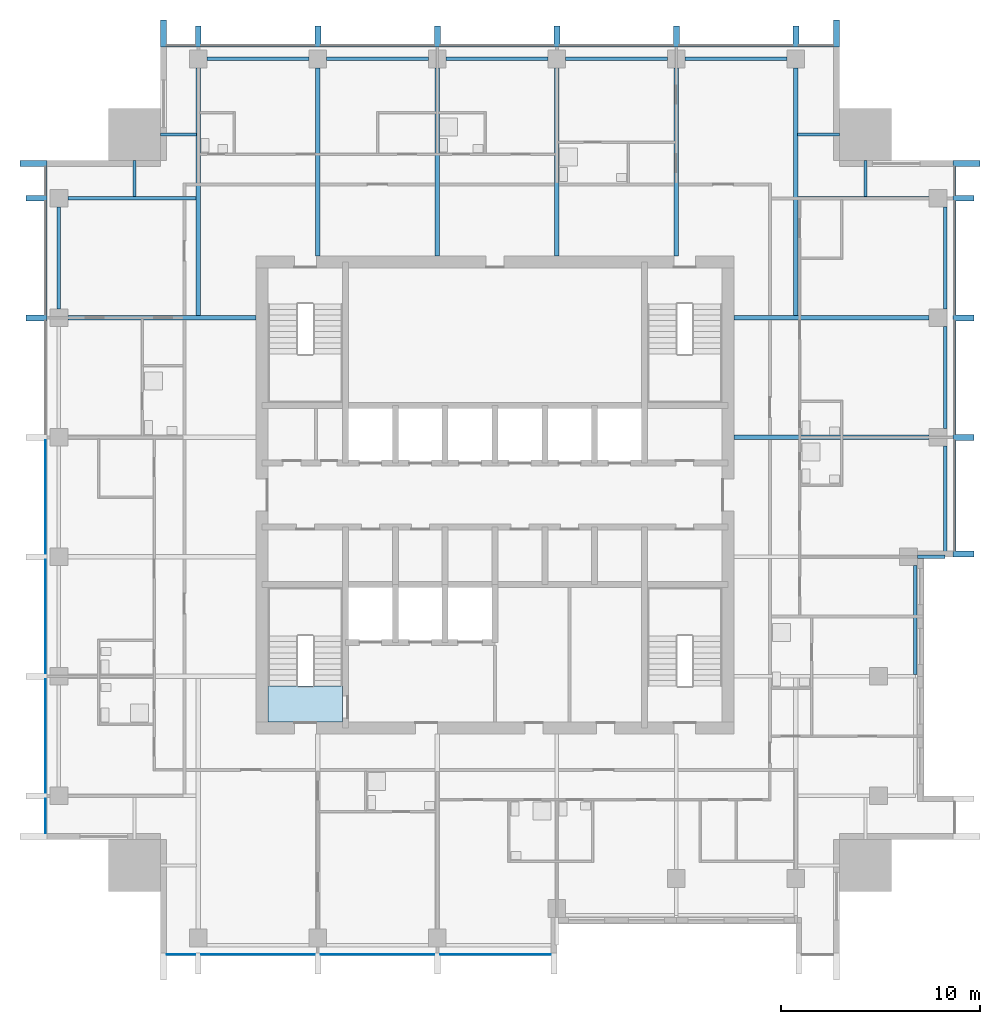
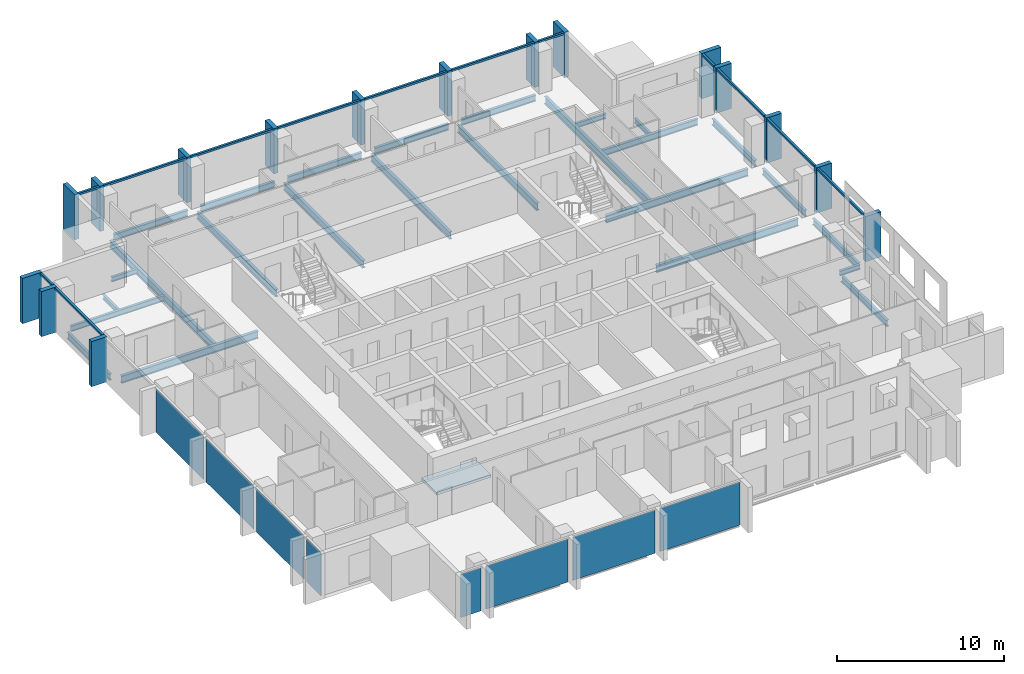
# One storey, part 2 of 11: 29 members, 26 beams, 8 plates, 1 slab, 5 elements without a shape of their own.
"""IFC4 building model written with IfcOpenShell, lengths in metres."""

import ifcopenshell
import ifcopenshell.guid

model = None  # the IFC model being written
_history = None  # IfcOwnerHistory: only IFC2X3 demands one
_inside = {}  # id of a spatial element -> (the spatial element, [elements in it])
_under = {}  # id of a project, library or spatial element -> (it, [spatial elements below it])
_declared = {}  # id of a project -> (the project, [libraries it declares])
_typed = {}  # id of a type object -> (the type object, [elements of that type])
_made_of = {}  # id of a material, layer set ... -> (it, [elements and type objects made of it])


def new_model(schema):
    """Start an empty IFC model of exactly this schema.

    Asked for "IFC4X3", IfcOpenShell would pick the latest addendum, in which some entities
    have other attributes; the version numbers below select the first issue.
    IFC2X3 requires an IfcOwnerHistory on every rooted entity: one is made here for all.
    """
    global model, _history
    if schema == "IFC4X3":
        model = ifcopenshell.file(schema_version=(4, 3, 0, 0))
    else:
        model = ifcopenshell.file(schema=schema)
    _inside.clear()
    _under.clear()
    _declared.clear()
    _typed.clear()
    _made_of.clear()
    _history = None
    if model.schema == "IFC2X3":
        org = make("IfcOrganization", Name="unknown")
        user = make(
            "IfcPersonAndOrganization",
            ThePerson=make("IfcPerson", FamilyName="unknown"),
            TheOrganization=org,
        )
        app = make(
            "IfcApplication",
            ApplicationDeveloper=org,
            Version="unknown",
            ApplicationFullName="unknown",
            ApplicationIdentifier="unknown",
        )
        _history = make(
            "IfcOwnerHistory",
            OwningUser=user,
            OwningApplication=app,
            ChangeAction="ADDED",
            CreationDate=0,
        )
    return model


def make(cls, **values):
    """One entity of the class cls with the attributes given. An attribute that is None is left unset."""
    return model.create_entity(
        cls, **{name: value for name, value in values.items() if value is not None}
    )


def rooted(cls, **values):
    """An entity with a GlobalId (a new one), such as an element, a storey or a relation."""
    return make(cls, GlobalId=ifcopenshell.guid.new(), OwnerHistory=_history, **values)


def si_unit(unit_type, name, prefix=None):
    """IfcSIUnit, for example si_unit("LENGTHUNIT", "METRE", prefix="MILLI")."""
    return make("IfcSIUnit", UnitType=unit_type, Prefix=prefix, Name=name)


def assignment(units):
    """IfcUnitAssignment: the units of a project."""
    return None if units is None else make("IfcUnitAssignment", Units=units)


def point(xyz):
    """IfcCartesianPoint."""
    return None if xyz is None else make("IfcCartesianPoint", Coordinates=xyz)


def direction(xyz):
    """IfcDirection."""
    return None if xyz is None else make("IfcDirection", DirectionRatios=xyz)


def frame(location, z_axis=None, x_axis=None):
    """IfcAxis2Placement3D, a coordinate frame: its origin and axes. An axis left out is left unset."""
    return make(
        "IfcAxis2Placement3D",
        Location=point(location),
        Axis=direction(z_axis),
        RefDirection=direction(x_axis),
    )


def frame_2d(location, x_axis=None):
    """IfcAxis2Placement2D, a coordinate frame in the plane: its origin and x axis."""
    return make(
        "IfcAxis2Placement2D", Location=point(location), RefDirection=direction(x_axis)
    )


def origin():
    """The frame at (0, 0, 0) with its axes left unset."""
    return frame((0.0, 0.0, 0.0))


def origin_2d():
    """The frame at (0, 0) in the plane with its x axis left unset."""
    return frame_2d((0.0, 0.0))


def place(relative_to, where):
    """IfcLocalPlacement: puts the frame where relative to a parent placement (None: the world)."""
    return make(
        "IfcLocalPlacement", PlacementRelTo=relative_to, RelativePlacement=where
    )


def context(
    kind, dimensions, precision=None, world=None, true_north=None, identifier=None
):
    """IfcGeometricRepresentationContext, for example the 3D "Model" context."""
    return make(
        "IfcGeometricRepresentationContext",
        ContextIdentifier=identifier,
        ContextType=kind,
        CoordinateSpaceDimension=dimensions,
        Precision=precision,
        WorldCoordinateSystem=world,
        TrueNorth=true_north,
    )


def subcontext(parent, identifier, kind, view, scale=None):
    """IfcGeometricRepresentationSubContext, for example "Body" below "Model"."""
    return make(
        "IfcGeometricRepresentationSubContext",
        ContextIdentifier=identifier,
        ContextType=kind,
        ParentContext=parent,
        TargetScale=scale,
        TargetView=view,
    )


def project(units=None, contexts=None):
    """IfcProject with its units and contexts."""
    return rooted(
        "IfcProject",
        Name="project",
        RepresentationContexts=contexts,
        UnitsInContext=assignment(units),
    )


def spatial(cls, under=None, at=None, **own):
    """A site, building, storey or space (cls), placed at a placement, below another one or the project."""
    s = rooted(cls, ObjectPlacement=at, **own)
    if under is not None:
        _under.setdefault(under.id(), (under, []))[1].append(s)
    return s


def polyline(points):
    """IfcPolyline through the points."""
    return make("IfcPolyline", Points=[point(p) for p in points])


def profile(cls, at=None, kind="AREA", **sizes):
    """A parametric profile (cls). Its sizes go by their IFC names, for example OverallWidth=200.0."""
    return make(cls, ProfileType=kind, Position=at, **sizes)


def rectangle(**sizes):
    """IfcRectangleProfileDef."""
    return profile("IfcRectangleProfileDef", **sizes)


def i_section(**sizes):
    """IfcIShapeProfileDef."""
    return profile("IfcIShapeProfileDef", **sizes)


def outline(outer, holes=None, kind="AREA"):
    """IfcArbitraryClosedProfileDef: a profile drawn as a closed curve; with holes, ...WithVoids."""
    if holes is None:
        return make("IfcArbitraryClosedProfileDef", ProfileType=kind, OuterCurve=outer)
    return make(
        "IfcArbitraryProfileDefWithVoids",
        ProfileType=kind,
        OuterCurve=outer,
        InnerCurves=holes,
    )


def extrude(swept, where, along, depth):
    """IfcExtrudedAreaSolid: the profile swept, set in the frame where, extruded along a direction by depth."""
    return make(
        "IfcExtrudedAreaSolid",
        SweptArea=swept,
        Position=where,
        ExtrudedDirection=direction(along),
        Depth=depth,
    )


def shape(context_of_items, identifier, shape_type, items):
    """IfcShapeRepresentation: the items that make up one representation, for example the "Body"."""
    return make(
        "IfcShapeRepresentation",
        ContextOfItems=context_of_items,
        RepresentationIdentifier=identifier,
        RepresentationType=shape_type,
        Items=items,
    )


def material(Name=None, Category=None):
    """IfcMaterial."""
    return make("IfcMaterial", Name=Name, Category=Category)


def layer(
    of_material, thickness, ventilated=None, Name=None, Category=None, Priority=None
):
    """IfcMaterialLayer: one layer of a wall or slab, of a material (None: an air gap)."""
    return make(
        "IfcMaterialLayer",
        Material=of_material,
        LayerThickness=thickness,
        IsVentilated=ventilated,
        Name=Name,
        Category=Category,
        Priority=Priority,
    )


def layer_set(layers, Name=None):
    """IfcMaterialLayerSet."""
    return make("IfcMaterialLayerSet", MaterialLayers=layers, LayerSetName=Name)


def material_profile(
    of_material, cross_section, Name=None, Category=None, Priority=None
):
    """IfcMaterialProfile: a cross section and its material."""
    return make(
        "IfcMaterialProfile",
        Name=Name,
        Material=of_material,
        Profile=cross_section,
        Priority=Priority,
        Category=Category,
    )


def profile_set(profiles, Name=None, composite=None):
    """IfcMaterialProfileSet."""
    return make(
        "IfcMaterialProfileSet",
        Name=Name,
        MaterialProfiles=profiles,
        CompositeProfile=composite,
    )


def made_of(thing, what):
    """Note that an element or type object is made of a material, layer set ...; save() writes the relation."""
    if what is not None:
        _made_of.setdefault(what.id(), (what, []))[1].append(thing)
    return thing


def type_object(cls, material=None, **own):
    """A type object (cls), such as IfcWallType, which elements share."""
    return made_of(rooted(cls, **own), material)


def element(
    cls,
    number,
    at=None,
    inside=None,
    cuts=None,
    type_object=None,
    material=None,
    context=None,
    identifier="Body",
    shape_type=None,
    held_by="IfcProductDefinitionShape",
    body=None,
    shapes=None,
    **own,
):
    """One element of the class cls, such as IfcWall. Its Tag is "e" and its number.

    at: its placement. inside: the storey or other place that contains it. cuts: it is an
    opening in that element (IfcRelVoidsElement). A single representation is given by context,
    identifier, shape_type and body (its items); several are given by shapes. held_by: the class
    of the entity that holds the representations. save() writes the other relations.
    """
    e = rooted(cls, Tag="e%d" % number, ObjectPlacement=at, **own)
    if body is not None:
        shapes = [shape(context, identifier, shape_type, body)]
    if shapes is not None:
        e.Representation = make(held_by, Representations=shapes)
    if inside is not None:
        _inside.setdefault(inside.id(), (inside, []))[1].append(e)
    if cuts is not None:
        rooted(
            "IfcRelVoidsElement", RelatingBuildingElement=cuts, RelatedOpeningElement=e
        )
    if type_object is not None:
        _typed.setdefault(type_object.id(), (type_object, []))[1].append(e)
    return made_of(e, material)


def aggregate(whole, parts):
    """IfcRelAggregates: a whole, such as a stair, and the parts it consists of."""
    return rooted("IfcRelAggregates", RelatingObject=whole, RelatedObjects=parts)


def save(model, path):
    """Write the relations noted so far, then the file.

    IfcRelAggregates (storeys below a building ...), IfcRelContainedInSpatialStructure (elements
    in a storey), IfcRelDefinesByType, IfcRelAssociatesMaterial and IfcRelDeclares: one each for
    every whole, place, type object, material and project.
    """
    for whole, parts in _under.values():
        aggregate(whole, parts)
    for where, things in _inside.values():
        rooted(
            "IfcRelContainedInSpatialStructure",
            RelatedElements=things,
            RelatingStructure=where,
        )
    for kind, things in _typed.values():
        rooted("IfcRelDefinesByType", RelatedObjects=things, RelatingType=kind)
    for what, things in _made_of.values():
        rooted("IfcRelAssociatesMaterial", RelatedObjects=things, RelatingMaterial=what)
    for by, libraries in _declared.values():
        rooted("IfcRelDeclares", RelatingContext=by, RelatedDefinitions=libraries)
    model.write(path)


model = new_model("IFC4")

# Units and contexts
model_context = context("Model", 3, precision=1e-05, world=origin(), true_north=direction((0.0, 1.0)))
body_context = subcontext(model_context, "Body", "Model", "MODEL_VIEW")
ifc_project = project(units=[si_unit("LENGTHUNIT", "METRE"), si_unit("AREAUNIT", "SQUARE_METRE"), si_unit("VOLUMEUNIT", "CUBIC_METRE"), si_unit("PLANEANGLEUNIT", "RADIAN"), si_unit("MASSUNIT", "GRAM", prefix="KILO")], contexts=[model_context])

# Site, building, storey
site_placement = place(None, origin())
site = spatial("IfcSite", under=ifc_project, at=site_placement, CompositionType="ELEMENT")
building_placement = place(site_placement, origin())
building = spatial("IfcBuilding", under=site, at=building_placement, Name="Amberfall Residences", CompositionType="ELEMENT")
storey_placement = place(building_placement, frame((0.0, 0.0, 223.300048828125)))
storey = spatial("IfcBuildingStorey", under=building, at=storey_placement, Name="L60", CompositionType="ELEMENT", Elevation=223.300048828125)

# Curtain wall, members
ifc_material_1 = material(Name="Bronze anodised aluminium and glass", Category="aluminium")
curtain_wall_type = type_object("IfcCurtainWallType", Name="Curtain wall CW1 tower unit", PredefinedType="USERDEFINED", material=ifc_material_1)
curtain_wall_1_placement = place(storey_placement, origin())
curtain_wall_1 = element("IfcCurtainWall", 1, at=curtain_wall_1_placement, inside=storey, type_object=curtain_wall_type, Name="Curtain wall L60 E E6", ObjectType="UNITISED CURTAIN WALL", PredefinedType="USERDEFINED")
ifc_material_2 = material(Name="Bronze anodised aluminium", Category="aluminium")
ifc_material_profile_1 = material_profile(ifc_material_2, rectangle(XDim=0.14990234375, YDim=0.14990234375, at=origin_2d()), Name="CW1 transom 150 x 150 bronze")
ifc_profile_set_1 = profile_set([ifc_material_profile_1], Name="Bronze anodised aluminium")
member_type_1 = type_object("IfcMemberType", Name="CW1 transom 150 x 150 bronze", PredefinedType="USERDEFINED", material=ifc_profile_set_1)
member_1_placement = place(storey_placement, frame((97.574951171875, 42.699951171875, 2.974853515625), z_axis=(0.0, 1.0, 0.0), x_axis=(-1.0, 0.0, 0.0)))
member_1 = element("IfcMember", 2, at=member_1_placement, type_object=member_type_1, Name="CW1 transom 1.1", ObjectType="TRANSOM", PredefinedType="USERDEFINED", context=body_context, shape_type="SweptSolid", body=[
    extrude(rectangle(XDim=0.14990234375, YDim=0.14990234375, at=origin_2d()), origin(), (0.0, 0.0, 1.0), 5.550048828125),
])
member_2_placement = place(storey_placement, frame((97.574951171875, 48.550048828125, 2.974853515625), z_axis=(0.0, 1.0, 0.0), x_axis=(-1.0, 0.0, 0.0)))
member_2 = element("IfcMember", 3, at=member_2_placement, type_object=member_type_1, Name="CW1 transom 2.1", ObjectType="TRANSOM", PredefinedType="USERDEFINED", context=body_context, shape_type="SweptSolid", body=[
    extrude(rectangle(XDim=0.14990234375, YDim=0.14990234375, at=origin_2d()), origin(), (0.0, 0.0, 1.0), 5.699951171875),
])
member_3_placement = place(storey_placement, frame((97.574951171875, 54.550048828125, 2.974853515625), z_axis=(0.0, 1.0, 0.0), x_axis=(-1.0, 0.0, 0.0)))
member_3 = element("IfcMember", 4, at=member_3_placement, type_object=member_type_1, Name="CW1 transom 3.1", ObjectType="TRANSOM", PredefinedType="USERDEFINED", context=body_context, shape_type="SweptSolid", body=[
    extrude(rectangle(XDim=0.14990234375, YDim=0.14990234375, at=origin_2d()), origin(), (0.0, 0.0, 1.0), 5.699951171875),
])
member_4_placement = place(storey_placement, frame((97.574951171875, 60.550048828125, 2.974853515625), z_axis=(0.0, 1.0, 0.0), x_axis=(-1.0, 0.0, 0.0)))
member_4 = element("IfcMember", 5, at=member_4_placement, type_object=member_type_1, Name="CW1 transom 4.1", ObjectType="TRANSOM", PredefinedType="USERDEFINED", context=body_context, shape_type="SweptSolid", body=[
    extrude(rectangle(XDim=0.14990234375, YDim=0.14990234375, at=origin_2d()), origin(), (0.0, 0.0, 1.0), 1.449951171875),
])

curtain_wall_2_placement = place(storey_placement, origin())
curtain_wall_2 = element("IfcCurtainWall", 6, at=curtain_wall_2_placement, inside=storey, type_object=curtain_wall_type, Name="Curtain wall L60 N N1", ObjectType="UNITISED CURTAIN WALL", PredefinedType="USERDEFINED")
member_5_placement = place(storey_placement, frame((91.5, 68.074951171875, 2.974853515625), z_axis=(-1.0, 0.0, 0.0), x_axis=(0.0, -1.0, 0.0)))
member_5 = element("IfcMember", 7, at=member_5_placement, type_object=member_type_1, Name="CW1 transom 1.1", ObjectType="TRANSOM", PredefinedType="USERDEFINED", context=body_context, shape_type="SweptSolid", body=[
    extrude(rectangle(XDim=0.14990234375, YDim=0.14990234375, at=origin_2d()), origin(), (0.0, 0.0, 1.0), 1.75),
])
member_6_placement = place(storey_placement, frame((89.449951171875, 68.074951171875, 2.974853515625), z_axis=(-1.0, 0.0, 0.0), x_axis=(0.0, -1.0, 0.0)))
member_6 = element("IfcMember", 8, at=member_6_placement, type_object=member_type_1, Name="CW1 transom 2.1", ObjectType="TRANSOM", PredefinedType="USERDEFINED", context=body_context, shape_type="SweptSolid", body=[
    extrude(rectangle(XDim=0.14990234375, YDim=0.14990234375, at=origin_2d()), origin(), (0.0, 0.0, 1.0), 5.699951171875),
])
member_7_placement = place(storey_placement, frame((83.449951171875, 68.074951171875, 2.974853515625), z_axis=(-1.0, 0.0, 0.0), x_axis=(0.0, -1.0, 0.0)))
member_7 = element("IfcMember", 9, at=member_7_placement, type_object=member_type_1, Name="CW1 transom 3.1", ObjectType="TRANSOM", PredefinedType="USERDEFINED", context=body_context, shape_type="SweptSolid", body=[
    extrude(rectangle(XDim=0.14990234375, YDim=0.14990234375, at=origin_2d()), origin(), (0.0, 0.0, 1.0), 5.699951171875),
])
member_8_placement = place(storey_placement, frame((77.449951171875, 68.074951171875, 2.974853515625), z_axis=(-1.0, 0.0, 0.0), x_axis=(0.0, -1.0, 0.0)))
member_8 = element("IfcMember", 10, at=member_8_placement, type_object=member_type_1, Name="CW1 transom 4.1", ObjectType="TRANSOM", PredefinedType="USERDEFINED", context=body_context, shape_type="SweptSolid", body=[
    extrude(rectangle(XDim=0.14990234375, YDim=0.14990234375, at=origin_2d()), origin(), (0.0, 0.0, 1.0), 5.699951171875),
])
member_9_placement = place(storey_placement, frame((71.449951171875, 68.074951171875, 2.974853515625), z_axis=(-1.0, 0.0, 0.0), x_axis=(0.0, -1.0, 0.0)))
member_9 = element("IfcMember", 11, at=member_9_placement, type_object=member_type_1, Name="CW1 transom 5.1", ObjectType="TRANSOM", PredefinedType="USERDEFINED", context=body_context, shape_type="SweptSolid", body=[
    extrude(rectangle(XDim=0.14990234375, YDim=0.14990234375, at=origin_2d()), origin(), (0.0, 0.0, 1.0), 5.699951171875),
])
member_10_placement = place(storey_placement, frame((65.449951171875, 68.074951171875, 2.974853515625), z_axis=(-1.0, 0.0, 0.0), x_axis=(0.0, -1.0, 0.0)))
member_10 = element("IfcMember", 12, at=member_10_placement, type_object=member_type_1, Name="CW1 transom 6.1", ObjectType="TRANSOM", PredefinedType="USERDEFINED", context=body_context, shape_type="SweptSolid", body=[
    extrude(rectangle(XDim=0.14990234375, YDim=0.14990234375, at=origin_2d()), origin(), (0.0, 0.0, 1.0), 5.699951171875),
])
member_11_placement = place(storey_placement, frame((59.449951171875, 68.074951171875, 2.974853515625), z_axis=(-1.0, 0.0, 0.0), x_axis=(0.0, -1.0, 0.0)))
member_11 = element("IfcMember", 13, at=member_11_placement, type_object=member_type_1, Name="CW1 transom 7.1", ObjectType="TRANSOM", PredefinedType="USERDEFINED", context=body_context, shape_type="SweptSolid", body=[
    extrude(rectangle(XDim=0.14990234375, YDim=0.14990234375, at=origin_2d()), origin(), (0.0, 0.0, 1.0), 1.449951171875),
])

curtain_wall_3_placement = place(storey_placement, origin())
curtain_wall_3 = element("IfcCurtainWall", 14, at=curtain_wall_3_placement, inside=storey, type_object=curtain_wall_type, Name="Curtain wall L60 W W1", ObjectType="UNITISED CURTAIN WALL", PredefinedType="USERDEFINED")
member_12_placement = place(storey_placement, frame((51.925048828125, 62.0, 2.974853515625), z_axis=(0.0, -1.0, 0.0), x_axis=(1.0, 0.0, 0.0)))
member_12 = element("IfcMember", 15, at=member_12_placement, type_object=member_type_1, Name="CW1 transom 1.1", ObjectType="TRANSOM", PredefinedType="USERDEFINED", context=body_context, shape_type="SweptSolid", body=[
    extrude(rectangle(XDim=0.14990234375, YDim=0.14990234375, at=origin_2d()), origin(), (0.0, 0.0, 1.0), 1.449951171875),
])
member_13_placement = place(storey_placement, frame((51.925048828125, 60.25, 2.974853515625), z_axis=(0.0, -1.0, 0.0), x_axis=(1.0, 0.0, 0.0)))
member_13 = element("IfcMember", 16, at=member_13_placement, type_object=member_type_1, Name="CW1 transom 2.1", ObjectType="TRANSOM", PredefinedType="USERDEFINED", context=body_context, shape_type="SweptSolid", body=[
    extrude(rectangle(XDim=0.14990234375, YDim=0.14990234375, at=origin_2d()), origin(), (0.0, 0.0, 1.0), 5.699951171875),
])

# Beam
ifc_material_3 = material(Name="Steel S355", Category="steel")
ifc_material_profile_2 = material_profile(ifc_material_3, i_section(OverallWidth=0.171142578125, OverallDepth=0.351318359375, WebThickness=0.007080078125, FlangeThickness=0.009765625, FilletRadius=0.01025390625, at=origin_2d()), Name="UB 356x171x45")
ifc_profile_set_2 = profile_set([ifc_material_profile_2], Name="Steel S355")
beam_type_1 = type_object("IfcBeamType", Name="Cantilever girder UB 356x171x45", PredefinedType="BEAM", material=ifc_profile_set_2)
beam_1_placement = place(storey_placement, frame((95.699951171875, 42.39990234375, -0.42578125), z_axis=(1.0, 0.0, 0.0), x_axis=(0.0, 1.0, 0.0)))
element("IfcBeam", 17, at=beam_1_placement, inside=storey, type_object=beam_type_1, Name="Cantilever girder B8 L60 22", PredefinedType="BEAM", context=body_context, shape_type="SweptSolid", body=[
    extrude(i_section(OverallWidth=0.171142578125, OverallDepth=0.351318359375, WebThickness=0.007080078125, FlangeThickness=0.009765625, FilletRadius=0.01025390625, at=origin_2d()), origin(), (0.0, 0.0, 1.0), 1.400146484375),
])

# Member
ifc_material_profile_3 = material_profile(ifc_material_2, rectangle(XDim=1.35009765625, YDim=0.300048828125, at=origin_2d()), Name="Corner fin 300 x 1350 bronze")
ifc_profile_set_3 = profile_set([ifc_material_profile_3], Name="Bronze anodised aluminium")
member_type_2 = type_object("IfcMemberType", Name="Corner fin 300 x 1350 bronze", PredefinedType="MULLION", material=ifc_profile_set_3)
member_14_placement = place(storey_placement, frame((98.175048828125, 62.14990234375, -0.25), z_axis=(0.0, 0.0, 1.0), x_axis=(-1.0, 0.0, 0.0)))
member_14 = element("IfcMember", 18, at=member_14_placement, type_object=member_type_2, Name="CW FIN 5", PredefinedType="MULLION", context=body_context, shape_type="SweptSolid", body=[
    extrude(rectangle(XDim=1.35009765625, YDim=0.300048828125, at=origin_2d()), origin(), (0.0, 0.0, 1.0), 3.300048828125),
])

member_15_placement = place(storey_placement, frame((91.64990234375, 68.675048828125, -0.25), z_axis=(0.0, 0.0, 1.0), x_axis=(0.0, -1.0, 0.0)))
member_15 = element("IfcMember", 19, at=member_15_placement, type_object=member_type_2, Name="CW FIN 1", PredefinedType="MULLION", context=body_context, shape_type="SweptSolid", body=[
    extrude(rectangle(XDim=1.35009765625, YDim=0.300048828125, at=origin_2d()), origin(), (0.0, 0.0, 1.0), 3.300048828125),
])

member_16_placement = place(storey_placement, frame((57.85009765625, 68.675048828125, -0.25), z_axis=(0.0, 0.0, 1.0), x_axis=(0.0, -1.0, 0.0)))
member_16 = element("IfcMember", 20, at=member_16_placement, type_object=member_type_2, Name="CW FIN 8", PredefinedType="MULLION", context=body_context, shape_type="SweptSolid", body=[
    extrude(rectangle(XDim=1.35009765625, YDim=0.300048828125, at=origin_2d()), origin(), (0.0, 0.0, 1.0), 3.300048828125),
])

member_17_placement = place(storey_placement, frame((51.324951171875, 62.14990234375, -0.25), z_axis=(0.0, 0.0, 1.0), x_axis=(1.0, 0.0, 0.0)))
member_17 = element("IfcMember", 21, at=member_17_placement, type_object=member_type_2, Name="CW FIN 1", PredefinedType="MULLION", context=body_context, shape_type="SweptSolid", body=[
    extrude(rectangle(XDim=1.35009765625, YDim=0.300048828125, at=origin_2d()), origin(), (0.0, 0.0, 1.0), 3.300048828125),
])

# Beams
ifc_material_profile_4 = material_profile(ifc_material_3, i_section(OverallWidth=0.18994140625, OverallDepth=0.453369140625, WebThickness=0.008544921875, FlangeThickness=0.0126953125, FilletRadius=0.01025390625, at=origin_2d()), Name="UB 457x191x67")
ifc_profile_set_4 = profile_set([ifc_material_profile_4], Name="Steel S355")
beam_type_2 = type_object("IfcBeamType", Name="Edge beam UB 457x191x67", PredefinedType="SPANDREL", material=ifc_profile_set_4)
for number, where, z_axis, x_axis, name in (
    (22, (95.60009765625, 36.47998046875, -0.476806640625), (0.0, 1.0, 0.0), (-1.0, 0.0, 0.0), "Edge beam B1 L60 16"),
    (23, (97.10009765625, 42.47998046875, -0.476806640625), (0.0, 1.0, 0.0), (-1.0, 0.0, 0.0), "Edge beam B1 L60 17"),
):
    element("IfcBeam", number, at=place(storey_placement, frame(where, z_axis=z_axis, x_axis=x_axis)), inside=storey, type_object=beam_type_2, Name=name, PredefinedType="SPANDREL", context=body_context, shape_type="SweptSolid", body=[
        extrude(i_section(OverallWidth=0.18994140625, OverallDepth=0.453369140625, WebThickness=0.008544921875, FlangeThickness=0.0126953125, FilletRadius=0.01025390625, at=origin_2d()), origin(), (0.0, 0.0, 1.0), 5.469970703125),
    ])
for number, where, z_axis, x_axis, name in (
    (24, (97.10009765625, 48.85009765625, -0.476806640625), (0.0, 1.0, 0.0), (-1.0, 0.0, 0.0), "Edge beam B1 L60 18"),
    (25, (97.10009765625, 54.85009765625, -0.476806640625), (0.0, 1.0, 0.0), (-1.0, 0.0, 0.0), "Edge beam B1 L60 19"),
    (26, (60.050048828125, 67.39990234375, -0.476806640625), (1.0, 0.0, 0.0), (0.0, 1.0, 0.0), "Edge beam B1 L60 29"),
    (27, (66.050048828125, 67.39990234375, -0.476806640625), (1.0, 0.0, 0.0), (0.0, 1.0, 0.0), "Edge beam B1 L60 30"),
    (28, (72.050048828125, 67.39990234375, -0.476806640625), (1.0, 0.0, 0.0), (0.0, 1.0, 0.0), "Edge beam B1 L60 31"),
    (29, (78.050048828125, 67.39990234375, -0.476806640625), (1.0, 0.0, 0.0), (0.0, 1.0, 0.0), "Edge beam B1 L60 32"),
    (30, (84.050048828125, 67.39990234375, -0.476806640625), (1.0, 0.0, 0.0), (0.0, 1.0, 0.0), "Edge beam B1 L60 33"),
    (31, (52.60009765625, 54.85009765625, -0.476806640625), (0.0, 1.0, 0.0), (-1.0, 0.0, 0.0), "Edge beam B1 L60 44"),
):
    element("IfcBeam", number, at=place(storey_placement, frame(where, z_axis=z_axis, x_axis=x_axis)), inside=storey, type_object=beam_type_2, Name=name, PredefinedType="SPANDREL", context=body_context, shape_type="SweptSolid", body=[
        extrude(i_section(OverallWidth=0.18994140625, OverallDepth=0.453369140625, WebThickness=0.008544921875, FlangeThickness=0.0126953125, FilletRadius=0.01025390625, at=origin_2d()), origin(), (0.0, 0.0, 1.0), 5.099853515625),
    ])

# Member
ifc_material_profile_5 = material_profile(ifc_material_2, rectangle(XDim=1.050048828125, YDim=0.300048828125, at=origin_2d()), Name="Fin 300 x 1050 bronze")
ifc_profile_set_5 = profile_set([ifc_material_profile_5], Name="Bronze anodised aluminium")
member_type_3 = type_object("IfcMemberType", Name="Fin 300 x 1050 bronze", PredefinedType="MULLION", material=ifc_profile_set_5)
member_18_placement = place(storey_placement, frame((98.02490234375, 42.550048828125, -0.25), z_axis=(0.0, 0.0, 1.0), x_axis=(-1.0, 0.0, 0.0)))
member_18 = element("IfcMember", 32, at=member_18_placement, type_object=member_type_3, Name="CW FIN 1", PredefinedType="MULLION", context=body_context, shape_type="SweptSolid", body=[
    extrude(rectangle(XDim=1.050048828125, YDim=0.300048828125, at=origin_2d()), origin(), (0.0, 0.0, 1.0), 3.300048828125),
])

member_19_placement = place(storey_placement, frame((98.02490234375, 48.39990234375, -0.25), z_axis=(0.0, 0.0, 1.0), x_axis=(-1.0, 0.0, 0.0)))
member_19 = element("IfcMember", 33, at=member_19_placement, type_object=member_type_3, Name="CW FIN 2", PredefinedType="MULLION", context=body_context, shape_type="SweptSolid", body=[
    extrude(rectangle(XDim=1.050048828125, YDim=0.300048828125, at=origin_2d()), origin(), (0.0, 0.0, 1.0), 3.300048828125),
])

member_20_placement = place(storey_placement, frame((98.02490234375, 54.39990234375, -0.25), z_axis=(0.0, 0.0, 1.0), x_axis=(-1.0, 0.0, 0.0)))
member_20 = element("IfcMember", 34, at=member_20_placement, type_object=member_type_3, Name="CW FIN 3", PredefinedType="MULLION", context=body_context, shape_type="SweptSolid", body=[
    extrude(rectangle(XDim=1.050048828125, YDim=0.300048828125, at=origin_2d()), origin(), (0.0, 0.0, 1.0), 3.300048828125),
])

member_21_placement = place(storey_placement, frame((98.02490234375, 60.39990234375, -0.25), z_axis=(0.0, 0.0, 1.0), x_axis=(-1.0, 0.0, 0.0)))
member_21 = element("IfcMember", 35, at=member_21_placement, type_object=member_type_3, Name="CW FIN 4", PredefinedType="MULLION", context=body_context, shape_type="SweptSolid", body=[
    extrude(rectangle(XDim=1.050048828125, YDim=0.300048828125, at=origin_2d()), origin(), (0.0, 0.0, 1.0), 3.300048828125),
])

aggregate(curtain_wall_1, [member_18, member_19, member_20, member_21, member_14, member_1, member_2, member_3, member_4])

member_22_placement = place(storey_placement, frame((89.60009765625, 68.52490234375, -0.25), z_axis=(0.0, 0.0, 1.0), x_axis=(0.0, -1.0, 0.0)))
member_22 = element("IfcMember", 36, at=member_22_placement, type_object=member_type_3, Name="CW FIN 2", PredefinedType="MULLION", context=body_context, shape_type="SweptSolid", body=[
    extrude(rectangle(XDim=1.050048828125, YDim=0.300048828125, at=origin_2d()), origin(), (0.0, 0.0, 1.0), 3.300048828125),
])

member_23_placement = place(storey_placement, frame((83.60009765625, 68.52490234375, -0.25), z_axis=(0.0, 0.0, 1.0), x_axis=(0.0, -1.0, 0.0)))
member_23 = element("IfcMember", 37, at=member_23_placement, type_object=member_type_3, Name="CW FIN 3", PredefinedType="MULLION", context=body_context, shape_type="SweptSolid", body=[
    extrude(rectangle(XDim=1.050048828125, YDim=0.300048828125, at=origin_2d()), origin(), (0.0, 0.0, 1.0), 3.300048828125),
])

member_24_placement = place(storey_placement, frame((77.60009765625, 68.52490234375, -0.25), z_axis=(0.0, 0.0, 1.0), x_axis=(0.0, -1.0, 0.0)))
member_24 = element("IfcMember", 38, at=member_24_placement, type_object=member_type_3, Name="CW FIN 4", PredefinedType="MULLION", context=body_context, shape_type="SweptSolid", body=[
    extrude(rectangle(XDim=1.050048828125, YDim=0.300048828125, at=origin_2d()), origin(), (0.0, 0.0, 1.0), 3.300048828125),
])

member_25_placement = place(storey_placement, frame((71.60009765625, 68.52490234375, -0.25), z_axis=(0.0, 0.0, 1.0), x_axis=(0.0, -1.0, 0.0)))
member_25 = element("IfcMember", 39, at=member_25_placement, type_object=member_type_3, Name="CW FIN 5", PredefinedType="MULLION", context=body_context, shape_type="SweptSolid", body=[
    extrude(rectangle(XDim=1.050048828125, YDim=0.300048828125, at=origin_2d()), origin(), (0.0, 0.0, 1.0), 3.300048828125),
])

member_26_placement = place(storey_placement, frame((65.60009765625, 68.52490234375, -0.25), z_axis=(0.0, 0.0, 1.0), x_axis=(0.0, -1.0, 0.0)))
member_26 = element("IfcMember", 40, at=member_26_placement, type_object=member_type_3, Name="CW FIN 6", PredefinedType="MULLION", context=body_context, shape_type="SweptSolid", body=[
    extrude(rectangle(XDim=1.050048828125, YDim=0.300048828125, at=origin_2d()), origin(), (0.0, 0.0, 1.0), 3.300048828125),
])

member_27_placement = place(storey_placement, frame((59.60009765625, 68.52490234375, -0.25), z_axis=(0.0, 0.0, 1.0), x_axis=(0.0, -1.0, 0.0)))
member_27 = element("IfcMember", 41, at=member_27_placement, type_object=member_type_3, Name="CW FIN 7", PredefinedType="MULLION", context=body_context, shape_type="SweptSolid", body=[
    extrude(rectangle(XDim=1.050048828125, YDim=0.300048828125, at=origin_2d()), origin(), (0.0, 0.0, 1.0), 3.300048828125),
])

aggregate(curtain_wall_2, [member_15, member_22, member_23, member_24, member_25, member_26, member_27, member_16, member_5, member_6, member_7, member_8, member_9, member_10, member_11])

member_28_placement = place(storey_placement, frame((51.47509765625, 60.39990234375, -0.25), z_axis=(0.0, 0.0, 1.0), x_axis=(1.0, 0.0, 0.0)))
member_28 = element("IfcMember", 42, at=member_28_placement, type_object=member_type_3, Name="CW FIN 2", PredefinedType="MULLION", context=body_context, shape_type="SweptSolid", body=[
    extrude(rectangle(XDim=1.050048828125, YDim=0.300048828125, at=origin_2d()), origin(), (0.0, 0.0, 1.0), 3.300048828125),
])

member_29_placement = place(storey_placement, frame((51.47509765625, 54.39990234375, -0.25), z_axis=(0.0, 0.0, 1.0), x_axis=(1.0, 0.0, 0.0)))
member_29 = element("IfcMember", 43, at=member_29_placement, type_object=member_type_3, Name="CW FIN 3", PredefinedType="MULLION", context=body_context, shape_type="SweptSolid", body=[
    extrude(rectangle(XDim=1.050048828125, YDim=0.300048828125, at=origin_2d()), origin(), (0.0, 0.0, 1.0), 3.300048828125),
])

# Beams
ifc_material_profile_6 = material_profile(ifc_material_3, i_section(OverallWidth=0.177734375, OverallDepth=0.402587890625, WebThickness=0.0078125, FlangeThickness=0.010986328125, FilletRadius=0.01025390625, at=origin_2d()), Name="UB 406x178x54")
ifc_profile_set_6 = profile_set([ifc_material_profile_6], Name="Steel S355")
beam_type_3 = type_object("IfcBeamType", Name="Floor girder UB 406x178x54", PredefinedType="BEAM", material=ifc_profile_set_6)
beam_2_placement = place(storey_placement, frame((53.050048828125, 60.39990234375, -0.451416015625), z_axis=(1.0, 0.0, 0.0), x_axis=(0.0, 1.0, 0.0)))
element("IfcBeam", 44, at=beam_2_placement, inside=storey, type_object=beam_type_3, Name="Floor girder B4 L60 50", PredefinedType="BEAM", context=body_context, shape_type="SweptSolid", body=[
    extrude(i_section(OverallWidth=0.177734375, OverallDepth=0.402587890625, WebThickness=0.0078125, FlangeThickness=0.010986328125, FilletRadius=0.01025390625, at=origin_2d()), origin(), (0.0, 0.0, 1.0), 6.429931640625),
])
ifc_material_profile_7 = material_profile(ifc_material_3, i_section(OverallWidth=0.19140625, OverallDepth=0.4599609375, WebThickness=0.010009765625, FlangeThickness=0.01611328125, FilletRadius=0.01025390625, at=origin_2d()), Name="UB 457x191x82")
ifc_profile_set_7 = profile_set([ifc_material_profile_7], Name="Steel S355")
beam_type_4 = type_object("IfcBeamType", Name="Floor girder UB 457x191x82", PredefinedType="BEAM", material=ifc_profile_set_7)
beam_3_placement = place(storey_placement, frame((96.300048828125, 60.39990234375, -0.47998046875), z_axis=(-1.0, 0.0, 0.0), x_axis=(0.0, -1.0, 0.0)))
element("IfcBeam", 45, at=beam_3_placement, inside=storey, type_object=beam_type_4, Name="Floor girder B10 L60 28", PredefinedType="BEAM", context=body_context, shape_type="SweptSolid", body=[
    extrude(i_section(OverallWidth=0.19140625, OverallDepth=0.4599609375, WebThickness=0.010009765625, FlangeThickness=0.01611328125, FilletRadius=0.01025390625, at=origin_2d()), origin(), (0.0, 0.0, 1.0), 6.580078125),
])
ifc_material_profile_8 = material_profile(ifc_material_3, i_section(OverallWidth=0.210693359375, OverallDepth=0.53955078125, WebThickness=0.01171875, FlangeThickness=0.018798828125, FilletRadius=0.0126953125, at=origin_2d()), Name="UB 533x210x109")
ifc_profile_set_8 = profile_set([ifc_material_profile_8], Name="Steel S355")
beam_type_5 = type_object("IfcBeamType", Name="Floor girder UB 533x210x109", PredefinedType="BEAM", material=ifc_profile_set_8)
for number, where, z_axis, x_axis, name in (
    (46, (59.60009765625, 66.949951171875, -0.519775390625), (0.0, -1.0, 0.0), (1.0, 0.0, 0.0), "Floor girder B2 L60 34"),
    (47, (89.60009765625, 66.949951171875, -0.519775390625), (0.0, -1.0, 0.0), (1.0, 0.0, 0.0), "Floor girder B2 L60 39"),
):
    element("IfcBeam", number, at=place(storey_placement, frame(where, z_axis=z_axis, x_axis=x_axis)), inside=storey, type_object=beam_type_5, Name=name, PredefinedType="BEAM", context=body_context, shape_type="SweptSolid", body=[
        extrude(i_section(OverallWidth=0.210693359375, OverallDepth=0.53955078125, WebThickness=0.01171875, FlangeThickness=0.018798828125, FilletRadius=0.0126953125, at=origin_2d()), origin(), (0.0, 0.0, 1.0), 12.450439453125),
    ])
ifc_material_profile_9 = material_profile(ifc_material_3, i_section(OverallWidth=0.209228515625, OverallDepth=0.533203125, WebThickness=0.010009765625, FlangeThickness=0.015625, FilletRadius=0.0126953125, at=origin_2d()), Name="UB 533x210x92")
ifc_profile_set_9 = profile_set([ifc_material_profile_9], Name="Steel S355")
beam_type_6 = type_object("IfcBeamType", Name="Floor girder UB 533x210x92", PredefinedType="BEAM", material=ifc_profile_set_9)
for number, where, z_axis, x_axis, name in (
    (48, (96.300048828125, 48.39990234375, -0.5166015625), (-1.0, 0.0, 0.0), (0.0, -1.0, 0.0), "Floor girder B3 L60 26"),
    (49, (96.300048828125, 54.39990234375, -0.5166015625), (-1.0, 0.0, 0.0), (0.0, -1.0, 0.0), "Floor girder B3 L60 27"),
):
    element("IfcBeam", number, at=place(storey_placement, frame(where, z_axis=z_axis, x_axis=x_axis)), inside=storey, type_object=beam_type_6, Name=name, PredefinedType="BEAM", context=body_context, shape_type="SweptSolid", body=[
        extrude(i_section(OverallWidth=0.209228515625, OverallDepth=0.533203125, WebThickness=0.010009765625, FlangeThickness=0.015625, FilletRadius=0.0126953125, at=origin_2d()), origin(), (0.0, 0.0, 1.0), 9.800048828125),
    ])
for number, where, z_axis, x_axis, name in (
    (50, (65.60009765625, 66.949951171875, -0.5166015625), (0.0, -1.0, 0.0), (1.0, 0.0, 0.0), "Floor girder B3 L60 35"),
    (51, (71.60009765625, 66.949951171875, -0.5166015625), (0.0, -1.0, 0.0), (1.0, 0.0, 0.0), "Floor girder B3 L60 36"),
    (52, (77.60009765625, 66.949951171875, -0.5166015625), (0.0, -1.0, 0.0), (1.0, 0.0, 0.0), "Floor girder B3 L60 37"),
    (53, (83.60009765625, 66.949951171875, -0.5166015625), (0.0, -1.0, 0.0), (1.0, 0.0, 0.0), "Floor girder B3 L60 38"),
    (54, (53.050048828125, 54.39990234375, -0.5166015625), (1.0, 0.0, 0.0), (0.0, 1.0, 0.0), "Floor girder B3 L60 49"),
):
    element("IfcBeam", number, at=place(storey_placement, frame(where, z_axis=z_axis, x_axis=x_axis)), inside=storey, type_object=beam_type_6, Name=name, PredefinedType="BEAM", context=body_context, shape_type="SweptSolid", body=[
        extrude(i_section(OverallWidth=0.209228515625, OverallDepth=0.533203125, WebThickness=0.010009765625, FlangeThickness=0.015625, FilletRadius=0.0126953125, at=origin_2d()), origin(), (0.0, 0.0, 1.0), 9.449951171875),
    ])
ifc_material_profile_10 = material_profile(ifc_material_3, i_section(OverallWidth=0.171142578125, OverallDepth=0.351318359375, WebThickness=0.007080078125, FlangeThickness=0.009765625, FilletRadius=0.01025390625, at=origin_2d()), Name="UB 356x171x45")
ifc_profile_set_10 = profile_set([ifc_material_profile_10], Name="Steel S355")
beam_type_7 = type_object("IfcBeamType", Name="Link beam UB 356x171x45", PredefinedType="BEAM", material=ifc_profile_set_10)
beam_4_placement = place(storey_placement, frame((91.800048828125, 63.60009765625, -0.42578125), z_axis=(-1.0, 0.0, 0.0), x_axis=(0.0, -1.0, 0.0)))
element("IfcBeam", 55, at=beam_4_placement, inside=storey, type_object=beam_type_7, Name="Link beam B7 L60 55", PredefinedType="BEAM", context=body_context, shape_type="SweptSolid", body=[
    extrude(i_section(OverallWidth=0.171142578125, OverallDepth=0.351318359375, WebThickness=0.007080078125, FlangeThickness=0.009765625, FilletRadius=0.01025390625, at=origin_2d()), origin(), (0.0, 0.0, 1.0), 2.104736328125),
])
beam_5_placement = place(storey_placement, frame((93.10009765625, 62.300048828125, -0.42578125), z_axis=(0.0, -1.0, 0.0), x_axis=(1.0, 0.0, 0.0)))
element("IfcBeam", 56, at=beam_5_placement, inside=storey, type_object=beam_type_7, Name="Link beam B7 L60 56", PredefinedType="BEAM", context=body_context, shape_type="SweptSolid", body=[
    extrude(i_section(OverallWidth=0.171142578125, OverallDepth=0.351318359375, WebThickness=0.007080078125, FlangeThickness=0.009765625, FilletRadius=0.01025390625, at=origin_2d()), origin(), (0.0, 0.0, 1.0), 1.814453125),
])
beam_6_placement = place(storey_placement, frame((57.699951171875, 63.60009765625, -0.42578125), z_axis=(1.0, 0.0, 0.0), x_axis=(0.0, 1.0, 0.0)))
element("IfcBeam", 57, at=beam_6_placement, inside=storey, type_object=beam_type_7, Name="Link beam B7 L60 57", PredefinedType="BEAM", context=body_context, shape_type="SweptSolid", body=[
    extrude(i_section(OverallWidth=0.171142578125, OverallDepth=0.351318359375, WebThickness=0.007080078125, FlangeThickness=0.009765625, FilletRadius=0.01025390625, at=origin_2d()), origin(), (0.0, 0.0, 1.0), 1.8046875),
])
beam_7_placement = place(storey_placement, frame((56.39990234375, 62.300048828125, -0.42578125), z_axis=(0.0, -1.0, 0.0), x_axis=(1.0, 0.0, 0.0)))
element("IfcBeam", 58, at=beam_7_placement, inside=storey, type_object=beam_type_7, Name="Link beam B7 L60 58", PredefinedType="BEAM", context=body_context, shape_type="SweptSolid", body=[
    extrude(i_section(OverallWidth=0.171142578125, OverallDepth=0.351318359375, WebThickness=0.007080078125, FlangeThickness=0.009765625, FilletRadius=0.01025390625, at=origin_2d()), origin(), (0.0, 0.0, 1.0), 1.821044921875),
])

# Curtain wall, plates
curtain_wall_4_placement = place(storey_placement, origin())
curtain_wall_4 = element("IfcCurtainWall", 59, at=curtain_wall_4_placement, inside=storey, type_object=curtain_wall_type, Name="Curtain wall L60 S S1", ObjectType="UNITISED CURTAIN WALL", PredefinedType="USERDEFINED")
ifc_material_4 = material(Name="Tinted double glazed unit", Category="glass")
ifc_layer_1 = layer(ifc_material_4, 0.035888671875)
ifc_layer_set_1 = layer_set([ifc_layer_1], Name="CW1 panel 36 glazing")
plate_type = type_object("IfcPlateType", Name="CW1 panel 36 glazing", PredefinedType="CURTAIN_PANEL", material=ifc_layer_set_1)
plate_1_placement = place(storey_placement, frame((58.72509765625, 22.425048828125, -0.25), z_axis=(0.0, 0.0, 1.0), x_axis=(1.0, 0.0, 0.0)))
plate_1 = element("IfcPlate", 60, at=plate_1_placement, type_object=plate_type, Name="CW1 panel 1.1", PredefinedType="CURTAIN_PANEL", context=body_context, shape_type="SweptSolid", body=[
    extrude(rectangle(XDim=1.426025390625, YDim=0.035888671875, at=origin_2d()), origin(), (0.0, 0.0, 1.0), 3.14990234375),
])
plate_2_placement = place(storey_placement, frame((62.60009765625, 22.425048828125, -0.25), z_axis=(0.0, 0.0, 1.0), x_axis=(1.0, 0.0, 0.0)))
plate_2 = element("IfcPlate", 61, at=plate_2_placement, type_object=plate_type, Name="CW1 panel 2.1", PredefinedType="CURTAIN_PANEL", context=body_context, shape_type="SweptSolid", body=[
    extrude(rectangle(XDim=5.676025390625, YDim=0.035888671875, at=origin_2d()), origin(), (0.0, 0.0, 1.0), 3.14990234375),
])
plate_3_placement = place(storey_placement, frame((68.60009765625, 22.425048828125, -0.25), z_axis=(0.0, 0.0, 1.0), x_axis=(1.0, 0.0, 0.0)))
plate_3 = element("IfcPlate", 62, at=plate_3_placement, type_object=plate_type, Name="CW1 panel 3.1", PredefinedType="CURTAIN_PANEL", context=body_context, shape_type="SweptSolid", body=[
    extrude(rectangle(XDim=5.676025390625, YDim=0.035888671875, at=origin_2d()), origin(), (0.0, 0.0, 1.0), 3.14990234375),
])
plate_4_placement = place(storey_placement, frame((74.52490234375, 22.425048828125, -0.25), z_axis=(0.0, 0.0, 1.0), x_axis=(1.0, 0.0, 0.0)))
plate_4 = element("IfcPlate", 63, at=plate_4_placement, type_object=plate_type, Name="CW1 panel 4.1", PredefinedType="CURTAIN_PANEL", context=body_context, shape_type="SweptSolid", body=[
    extrude(rectangle(XDim=5.52587890625, YDim=0.035888671875, at=origin_2d()), origin(), (0.0, 0.0, 1.0), 3.14990234375),
])
aggregate(curtain_wall_4, [plate_1, plate_2, plate_3, plate_4])

# Plate
plate_5_placement = place(storey_placement, frame((51.925048828125, 45.39990234375, -0.25), z_axis=(0.0, 0.0, 1.0), x_axis=(0.0, -1.0, 0.0)))
plate_5 = element("IfcPlate", 64, at=plate_5_placement, type_object=plate_type, Name="CW1 panel 4.1", PredefinedType="CURTAIN_PANEL", context=body_context, shape_type="SweptSolid", body=[
    extrude(rectangle(XDim=5.676025390625, YDim=0.035888671875, at=origin_2d()), origin(), (0.0, 0.0, 1.0), 3.14990234375),
])

plate_6_placement = place(storey_placement, frame((51.925048828125, 39.39990234375, -0.25), z_axis=(0.0, 0.0, 1.0), x_axis=(0.0, -1.0, 0.0)))
plate_6 = element("IfcPlate", 65, at=plate_6_placement, type_object=plate_type, Name="CW1 panel 5.1", PredefinedType="CURTAIN_PANEL", context=body_context, shape_type="SweptSolid", body=[
    extrude(rectangle(XDim=5.676025390625, YDim=0.035888671875, at=origin_2d()), origin(), (0.0, 0.0, 1.0), 3.14990234375),
])

plate_7_placement = place(storey_placement, frame((51.925048828125, 33.39990234375, -0.25), z_axis=(0.0, 0.0, 1.0), x_axis=(0.0, -1.0, 0.0)))
plate_7 = element("IfcPlate", 66, at=plate_7_placement, type_object=plate_type, Name="CW1 panel 6.1", PredefinedType="CURTAIN_PANEL", context=body_context, shape_type="SweptSolid", body=[
    extrude(rectangle(XDim=5.676025390625, YDim=0.035888671875, at=origin_2d()), origin(), (0.0, 0.0, 1.0), 3.14990234375),
])

plate_8_placement = place(storey_placement, frame((51.925048828125, 29.375, -0.25), z_axis=(0.0, 0.0, 1.0), x_axis=(0.0, -1.0, 0.0)))
plate_8 = element("IfcPlate", 67, at=plate_8_placement, type_object=plate_type, Name="CW1 panel 7.1", PredefinedType="CURTAIN_PANEL", context=body_context, shape_type="SweptSolid", body=[
    extrude(rectangle(XDim=1.72607421875, YDim=0.035888671875, at=origin_2d()), origin(), (0.0, 0.0, 1.0), 3.14990234375),
])

aggregate(curtain_wall_3, [member_17, member_28, member_29, member_12, member_13, plate_5, plate_6, plate_7, plate_8])

# Stair, slab
ifc_material_5 = material(Name="Concrete C40", Category="concrete")
stair_type = type_object("IfcStairType", Name="Exit stair 20 risers 165.0 mm", PredefinedType="HALF_TURN_STAIR", material=ifc_material_5)
stair_placement = place(storey_placement, origin())
stair = element("IfcStair", 68, at=stair_placement, inside=storey, type_object=stair_type, Name="L60 Exit stair 1", PredefinedType="HALF_TURN_STAIR")
ifc_layer_2 = layer(ifc_material_5, 0.199951171875)
ifc_layer_set_2 = layer_set([ifc_layer_2], Name="Stair landing 200")
slab_type = type_object("IfcSlabType", Name="Stair landing 200", PredefinedType="LANDING", material=ifc_layer_set_2)
slab_placement = place(storey_placement, frame((0.0, 0.0, -0.199951171875)))
slab = element("IfcSlab", 69, at=slab_placement, type_object=slab_type, Name="ST3 landing 2", PredefinedType="LANDING", context=body_context, shape_type="SweptSolid", body=[
    extrude(outline(polyline([(66.85009765625, 34.10009765625), (66.85009765625, 35.89990234375), (63.10009765625, 35.89990234375), (63.10009765625, 34.10009765625), (66.85009765625, 34.10009765625)])), origin(), (0.0, 0.0, 1.0), 0.199951171875),
])
aggregate(stair, [slab])

save(model, "model.ifc")
